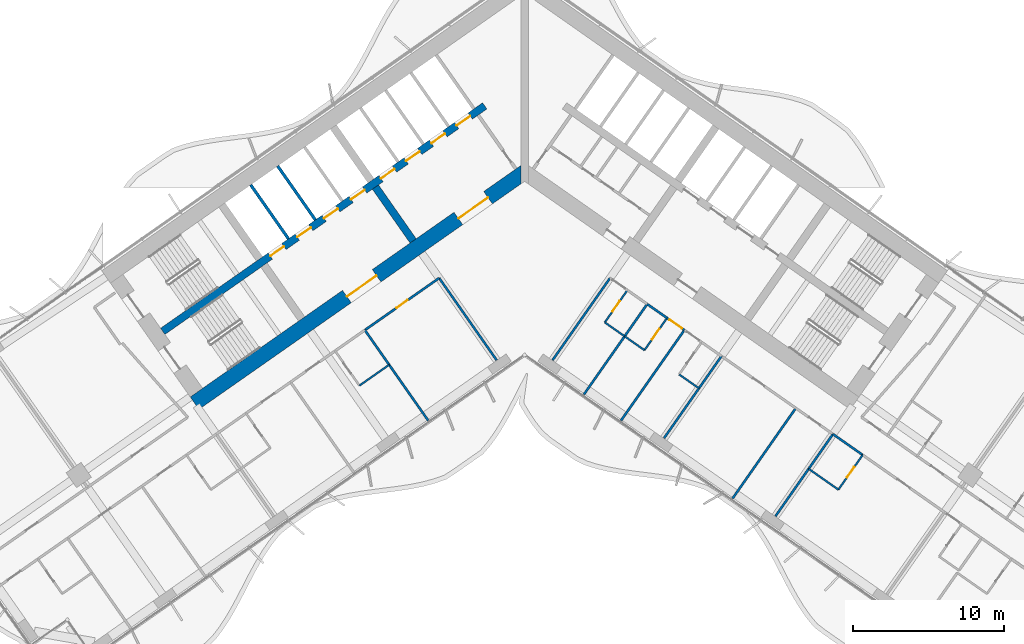
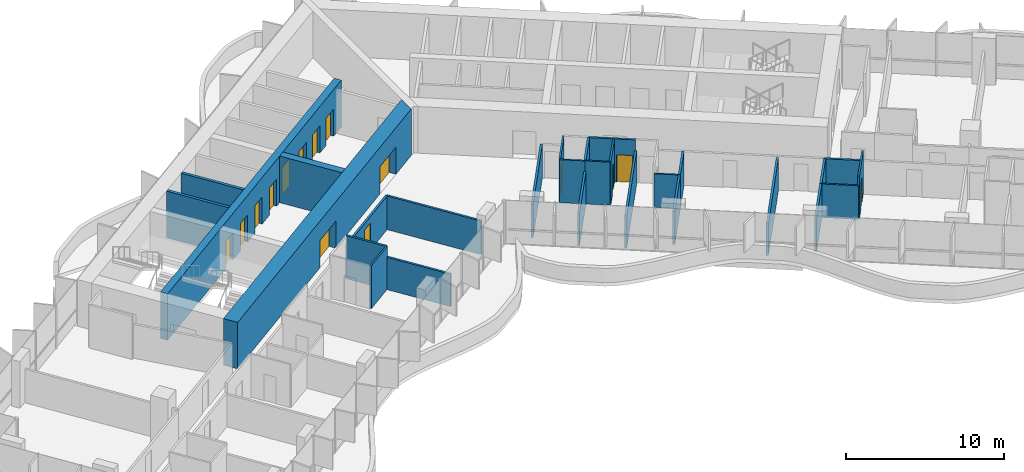
# One storey, part 13 of 23: 29 walls, 15 doors, 15 openings.
"""IFC4 building model written with IfcOpenShell, lengths in metres."""

from ifc_helpers import new_model, si_unit, direction, frame, frame_2d, origin, place, context, subcontext, project, spatial, polyline, rectangle, outline, extrude, material, layer, layer_set, type_object, element, fill, save


model = new_model("IFC4")

# Units and contexts
model_context = context("Model", 3, precision=1e-05, world=origin(), true_north=direction((0.0, 1.0)))
body_context = subcontext(model_context, "Body", "Model", "MODEL_VIEW")
ifc_project = project(units=[si_unit("LENGTHUNIT", "METRE"), si_unit("AREAUNIT", "SQUARE_METRE"), si_unit("VOLUMEUNIT", "CUBIC_METRE"), si_unit("PLANEANGLEUNIT", "RADIAN"), si_unit("MASSUNIT", "GRAM", prefix="KILO")], contexts=[model_context])

# Site, building, storey
site_placement = place(None, origin())
site = spatial("IfcSite", under=ifc_project, at=site_placement, CompositionType="ELEMENT")
building_placement = place(site_placement, origin())
building = spatial("IfcBuilding", under=site, at=building_placement, Name="Tel Ilan Convention Tower", CompositionType="ELEMENT")
storey_placement = place(building_placement, frame((0.0, 0.0, 119.300048828125)))
storey = spatial("IfcBuildingStorey", under=building, at=storey_placement, Name="L26", CompositionType="ELEMENT", Elevation=119.300048828125)

# Wall, openings, doors
ifc_material_1 = material(Name="Concrete C60/75", Category="concrete")
ifc_layer_1 = layer(ifc_material_1, 1.0)
ifc_layer_set_1 = layer_set([ifc_layer_1], Name="Core Shear Wall 1000 mm C60/75")
wall_type_1 = type_object("IfcWallType", Name="Core Shear Wall 1000 mm C60/75", PredefinedType="SHEAR", material=ifc_layer_set_1)
wall_1_placement = place(storey_placement, frame((0.036865234375, -0.584716796875, 0.0), z_axis=(0.0, 0.0, 1.0), x_axis=(-0.819157152511, -0.573569140985, 0.0)))
wall_1 = element("IfcWall", 1, at=wall_1_placement, inside=storey, type_object=wall_type_1, Name="L26 core wall W-front", PredefinedType="SHEAR", context=body_context, shape_type="SweptSolid", body=[
    extrude(outline(polyline([(26.69482421875, 0.500244140625), (0.7001953125, 0.499755859375), (0.0, -0.5), (26.69482421875, -0.499755859375), (26.69482421875, 0.500244140625)])), origin(), (0.0, 0.0, 1.0), 3.599853515625),
])
opening_1_placement = place(wall_1_placement, frame((2.994873046875, 0.0, 0.0)))
opening_1 = element("IfcOpeningElement", 2, at=opening_1_placement, cuts=wall_1, Name="Opening CD2005", PredefinedType="OPENING", context=body_context, shape_type="SweptSolid", body=[
    extrude(rectangle(XDim=2.39990234375, YDim=2.10009765625, at=frame_2d((1.199951171875, 1.050048828125))), frame((0.0, 0.510009765625, 0.0), z_axis=(0.0, -1.0, 0.0), x_axis=(1.0, 0.0, 0.0)), (0.0, 0.0, 1.0), 1.02001953125),
])
opening_2_placement = place(wall_1_placement, frame((11.994873046875, 0.0, 0.0)))
opening_2 = element("IfcOpeningElement", 3, at=opening_2_placement, cuts=wall_1, Name="Opening CD2006", PredefinedType="OPENING", context=body_context, shape_type="SweptSolid", body=[
    extrude(rectangle(XDim=2.39990234375, YDim=2.10009765625, at=frame_2d((1.199951171875, 1.050048828125))), frame((0.0, 0.510009765625, 0.0), z_axis=(0.0, -1.0, 0.0), x_axis=(1.0, 0.0, 0.0)), (0.0, 0.0, 1.0), 1.02001953125),
])
ifc_material_2 = material(Name="Glazed Aluminium Door Leaf", Category="aluminium")
door_type_1 = type_object("IfcDoorType", Name="Lobby Opening Door 2400 x 2100 FD60S", OperationType="NOTDEFINED", PredefinedType="DOOR", material=ifc_material_2)
door_1_placement = place(opening_1_placement, origin())
door_1 = element("IfcDoor", 4, at=door_1_placement, inside=storey, type_object=door_type_1, Name="Lift Lobby LR1-LR4 opening", OperationType="DOUBLE_DOOR_SINGLE_SWING", OverallHeight=2.10009765625, OverallWidth=2.39990234375, PredefinedType="DOOR", context=body_context, shape_type="SweptSolid", body=[
    extrude(rectangle(XDim=2.39990234375, YDim=2.10009765625, at=frame_2d((1.199951171875, 1.050048828125))), frame((0.0, 0.02490234375, 0.0), z_axis=(0.0, -1.0, 0.0), x_axis=(1.0, 0.0, 0.0)), (0.0, 0.0, 1.0), 0.050048828125),
])
fill(opening_1, door_1)
door_2_placement = place(opening_2_placement, origin())
door_2 = element("IfcDoor", 5, at=door_2_placement, inside=storey, type_object=door_type_1, Name="Lift Lobby LR5-LR8 opening", OperationType="DOUBLE_DOOR_SINGLE_SWING", OverallHeight=2.10009765625, OverallWidth=2.39990234375, PredefinedType="DOOR", context=body_context, shape_type="SweptSolid", body=[
    extrude(rectangle(XDim=2.39990234375, YDim=2.10009765625, at=frame_2d((1.199951171875, 1.050048828125))), frame((0.0, 0.02490234375, 0.0), z_axis=(0.0, -1.0, 0.0), x_axis=(1.0, 0.0, 0.0)), (0.0, 0.0, 1.0), 0.050048828125),
])
fill(opening_2, door_2)

# Wall
ifc_material_3 = material(Name="Concrete C60/75", Category="concrete")
ifc_layer_2 = layer(ifc_material_3, 0.5)
ifc_layer_set_2 = layer_set([ifc_layer_2], Name="Core Shear Wall 500 mm C60/75")
wall_type_2 = type_object("IfcWallType", Name="Core Shear Wall 500 mm C60/75", PredefinedType="SHEAR", material=ifc_layer_set_2)
wall_2_placement = place(storey_placement, frame((-7.372314453125, -5.162109375, 0.0), z_axis=(0.0, 0.0, 1.0), x_axis=(-0.573594173421, 0.819139624372, 0.0)))
element("IfcWall", 6, at=wall_2_placement, inside=storey, type_object=wall_type_2, Name="L26 core wall W-cross1-1", PredefinedType="SHEAR", context=body_context, shape_type="SweptSolid", body=[
    extrude(outline(polyline([(4.349853515625, 0.25), (0.0, 0.250244140625), (0.0, -0.25), (4.349853515625, -0.25), (4.349853515625, 0.25)])), origin(), (0.0, 0.0, 1.0), 3.599853515625),
])

# Wall, openings, doors
wall_3_placement = place(storey_placement, frame((-2.638427734375, 3.76806640625, 0.0), z_axis=(0.0, 0.0, 1.0), x_axis=(-0.819148977158, -0.573580816643, 0.0)))
wall_3 = element("IfcWall", 7, at=wall_3_placement, inside=storey, type_object=wall_type_2, Name="L26 core wall W-spine", PredefinedType="SHEAR", context=body_context, shape_type="SweptSolid", body=[
    extrude(outline(polyline([(26.0, 0.249755859375), (0.0, 0.25), (0.0, -0.25), (26.0, -0.250244140625), (26.0, 0.249755859375)])), origin(), (0.0, 0.0, 1.0), 3.599853515625),
])
opening_3_placement = place(wall_3_placement, frame((1.168701171875, 0.0, 0.0)))
opening_3 = element("IfcOpeningElement", 8, at=opening_3_placement, cuts=wall_3, Name="Opening LD2004", PredefinedType="OPENING", context=body_context, shape_type="SweptSolid", body=[
    extrude(rectangle(XDim=1.10009765625, YDim=2.10009765625, at=frame_2d((0.550048828125, 1.050048828125))), frame((0.0, 0.260009765625, 0.0), z_axis=(0.0, -1.0, 0.0), x_axis=(1.0, 0.0, 0.0)), (0.0, 0.0, 1.0), 0.52001953125),
])
opening_4_placement = place(wall_3_placement, frame((3.206298828125, 0.0, 0.0)))
opening_4 = element("IfcOpeningElement", 9, at=opening_4_placement, cuts=wall_3, Name="Opening LD2005", PredefinedType="OPENING", context=body_context, shape_type="SweptSolid", body=[
    extrude(rectangle(XDim=1.10009765625, YDim=2.10009765625, at=frame_2d((0.550048828125, 1.050048828125))), frame((0.0, 0.260009765625, 0.0), z_axis=(0.0, -1.0, 0.0), x_axis=(1.0, 0.0, 0.0)), (0.0, 0.0, 1.0), 0.52001953125),
])
opening_5_placement = place(wall_3_placement, frame((5.24365234375, 0.0, 0.0)))
opening_5 = element("IfcOpeningElement", 10, at=opening_5_placement, cuts=wall_3, Name="Opening LD2006", PredefinedType="OPENING", context=body_context, shape_type="SweptSolid", body=[
    extrude(rectangle(XDim=1.10009765625, YDim=2.10009765625, at=frame_2d((0.550048828125, 1.050048828125))), frame((0.0, 0.260009765625, 0.0), z_axis=(0.0, -1.0, 0.0), x_axis=(1.0, 0.0, 0.0)), (0.0, 0.0, 1.0), 0.52001953125),
])
opening_6_placement = place(wall_3_placement, frame((7.28125, 0.0, 0.0)))
opening_6 = element("IfcOpeningElement", 11, at=opening_6_placement, cuts=wall_3, Name="Opening LD2007", PredefinedType="OPENING", context=body_context, shape_type="SweptSolid", body=[
    extrude(rectangle(XDim=1.10009765625, YDim=2.10009765625, at=frame_2d((0.550048828125, 1.050048828125))), frame((0.0, 0.260009765625, 0.0), z_axis=(0.0, -1.0, 0.0), x_axis=(1.0, 0.0, 0.0)), (0.0, 0.0, 1.0), 0.52001953125),
])
opening_7_placement = place(wall_3_placement, frame((9.6875, 0.0, 0.0)))
opening_7 = element("IfcOpeningElement", 12, at=opening_7_placement, cuts=wall_3, Name="Opening LD2008", PredefinedType="OPENING", context=body_context, shape_type="SweptSolid", body=[
    extrude(rectangle(XDim=1.10009765625, YDim=2.10009765625, at=frame_2d((0.550048828125, 1.050048828125))), frame((0.0, 0.260009765625, 0.0), z_axis=(0.0, -1.0, 0.0), x_axis=(1.0, 0.0, 0.0)), (0.0, 0.0, 1.0), 0.52001953125),
])
opening_8_placement = place(wall_3_placement, frame((11.862548828125, 0.0, 0.0)))
opening_8 = element("IfcOpeningElement", 13, at=opening_8_placement, cuts=wall_3, Name="Opening LD2009", PredefinedType="OPENING", context=body_context, shape_type="SweptSolid", body=[
    extrude(rectangle(XDim=1.10009765625, YDim=2.10009765625, at=frame_2d((0.550048828125, 1.050048828125))), frame((0.0, 0.260009765625, 0.0), z_axis=(0.0, -1.0, 0.0), x_axis=(1.0, 0.0, 0.0)), (0.0, 0.0, 1.0), 0.52001953125),
])
opening_9_placement = place(wall_3_placement, frame((14.03759765625, 0.0, 0.0)))
opening_9 = element("IfcOpeningElement", 14, at=opening_9_placement, cuts=wall_3, Name="Opening LD2010", PredefinedType="OPENING", context=body_context, shape_type="SweptSolid", body=[
    extrude(rectangle(XDim=1.10009765625, YDim=2.10009765625, at=frame_2d((0.550048828125, 1.050048828125))), frame((0.0, 0.260009765625, 0.0), z_axis=(0.0, -1.0, 0.0), x_axis=(1.0, 0.0, 0.0)), (0.0, 0.0, 1.0), 0.52001953125),
])
opening_10_placement = place(wall_3_placement, frame((16.21240234375, 0.0, 0.0)))
opening_10 = element("IfcOpeningElement", 15, at=opening_10_placement, cuts=wall_3, Name="Opening LD2011", PredefinedType="OPENING", context=body_context, shape_type="SweptSolid", body=[
    extrude(rectangle(XDim=1.10009765625, YDim=2.10009765625, at=frame_2d((0.550048828125, 1.050048828125))), frame((0.0, 0.260009765625, 0.0), z_axis=(0.0, -1.0, 0.0), x_axis=(1.0, 0.0, 0.0)), (0.0, 0.0, 1.0), 0.52001953125),
])
ifc_material_4 = material(Name="Stainless Steel Sliding Door Leaf", Category="steel")
door_type_2 = type_object("IfcDoorType", Name="Lift Landing Door 1100 x 2100 FD120", OperationType="NOTDEFINED", PredefinedType="DOOR", material=ifc_material_4)
door_3_placement = place(opening_3_placement, origin())
door_3 = element("IfcDoor", 16, at=door_3_placement, inside=storey, type_object=door_type_2, Name="Lift LR1 landing door", OperationType="SLIDING_TO_LEFT", OverallHeight=2.10009765625, OverallWidth=1.10009765625, PredefinedType="DOOR", context=body_context, shape_type="SweptSolid", body=[
    extrude(rectangle(XDim=1.10009765625, YDim=2.10009765625, at=frame_2d((0.550048828125, 1.050048828125))), frame((0.0, 0.02490234375, 0.0), z_axis=(0.0, -1.0, 0.0), x_axis=(1.0, 0.0, 0.0)), (0.0, 0.0, 1.0), 0.050048828125),
])
fill(opening_3, door_3)
door_4_placement = place(opening_4_placement, origin())
door_4 = element("IfcDoor", 17, at=door_4_placement, inside=storey, type_object=door_type_2, Name="Lift LR2 landing door", OperationType="SLIDING_TO_RIGHT", OverallHeight=2.10009765625, OverallWidth=1.10009765625, PredefinedType="DOOR", context=body_context, shape_type="SweptSolid", body=[
    extrude(rectangle(XDim=1.10009765625, YDim=2.10009765625, at=frame_2d((0.550048828125, 1.050048828125))), frame((0.0, 0.02490234375, 0.0), z_axis=(0.0, -1.0, 0.0), x_axis=(1.0, 0.0, 0.0)), (0.0, 0.0, 1.0), 0.050048828125),
])
fill(opening_4, door_4)
door_5_placement = place(opening_5_placement, origin())
door_5 = element("IfcDoor", 18, at=door_5_placement, inside=storey, type_object=door_type_2, Name="Lift LR3 landing door", OperationType="SLIDING_TO_LEFT", OverallHeight=2.10009765625, OverallWidth=1.10009765625, PredefinedType="DOOR", context=body_context, shape_type="SweptSolid", body=[
    extrude(rectangle(XDim=1.10009765625, YDim=2.10009765625, at=frame_2d((0.550048828125, 1.050048828125))), frame((0.0, 0.02490234375, 0.0), z_axis=(0.0, -1.0, 0.0), x_axis=(1.0, 0.0, 0.0)), (0.0, 0.0, 1.0), 0.050048828125),
])
fill(opening_5, door_5)
door_6_placement = place(opening_6_placement, origin())
door_6 = element("IfcDoor", 19, at=door_6_placement, inside=storey, type_object=door_type_2, Name="Lift LR4 landing door", OperationType="SLIDING_TO_RIGHT", OverallHeight=2.10009765625, OverallWidth=1.10009765625, PredefinedType="DOOR", context=body_context, shape_type="SweptSolid", body=[
    extrude(rectangle(XDim=1.10009765625, YDim=2.10009765625, at=frame_2d((0.550048828125, 1.050048828125))), frame((0.0, 0.02490234375, 0.0), z_axis=(0.0, -1.0, 0.0), x_axis=(1.0, 0.0, 0.0)), (0.0, 0.0, 1.0), 0.050048828125),
])
fill(opening_6, door_6)
door_7_placement = place(opening_7_placement, origin())
door_7 = element("IfcDoor", 20, at=door_7_placement, inside=storey, type_object=door_type_2, Name="Lift LR5 landing door", OperationType="SLIDING_TO_LEFT", OverallHeight=2.10009765625, OverallWidth=1.10009765625, PredefinedType="DOOR", context=body_context, shape_type="SweptSolid", body=[
    extrude(rectangle(XDim=1.10009765625, YDim=2.10009765625, at=frame_2d((0.550048828125, 1.050048828125))), frame((0.0, 0.02490234375, 0.0), z_axis=(0.0, -1.0, 0.0), x_axis=(1.0, 0.0, 0.0)), (0.0, 0.0, 1.0), 0.050048828125),
])
fill(opening_7, door_7)
door_8_placement = place(opening_8_placement, origin())
door_8 = element("IfcDoor", 21, at=door_8_placement, inside=storey, type_object=door_type_2, Name="Lift LR6 landing door", OperationType="SLIDING_TO_RIGHT", OverallHeight=2.10009765625, OverallWidth=1.10009765625, PredefinedType="DOOR", context=body_context, shape_type="SweptSolid", body=[
    extrude(rectangle(XDim=1.10009765625, YDim=2.10009765625, at=frame_2d((0.550048828125, 1.050048828125))), frame((0.0, 0.02490234375, 0.0), z_axis=(0.0, -1.0, 0.0), x_axis=(1.0, 0.0, 0.0)), (0.0, 0.0, 1.0), 0.050048828125),
])
fill(opening_8, door_8)
door_9_placement = place(opening_9_placement, origin())
door_9 = element("IfcDoor", 22, at=door_9_placement, inside=storey, type_object=door_type_2, Name="Lift LR7 landing door", OperationType="SLIDING_TO_LEFT", OverallHeight=2.10009765625, OverallWidth=1.10009765625, PredefinedType="DOOR", context=body_context, shape_type="SweptSolid", body=[
    extrude(rectangle(XDim=1.10009765625, YDim=2.10009765625, at=frame_2d((0.550048828125, 1.050048828125))), frame((0.0, 0.02490234375, 0.0), z_axis=(0.0, -1.0, 0.0), x_axis=(1.0, 0.0, 0.0)), (0.0, 0.0, 1.0), 0.050048828125),
])
fill(opening_9, door_9)
door_10_placement = place(opening_10_placement, origin())
door_10 = element("IfcDoor", 23, at=door_10_placement, inside=storey, type_object=door_type_2, Name="Lift LR8 landing door", OperationType="SLIDING_TO_RIGHT", OverallHeight=2.10009765625, OverallWidth=1.10009765625, PredefinedType="DOOR", context=body_context, shape_type="SweptSolid", body=[
    extrude(rectangle(XDim=1.10009765625, YDim=2.10009765625, at=frame_2d((0.550048828125, 1.050048828125))), frame((0.0, 0.02490234375, 0.0), z_axis=(0.0, -1.0, 0.0), x_axis=(1.0, 0.0, 0.0)), (0.0, 0.0, 1.0), 0.050048828125),
])
fill(opening_10, door_10)

# Wall, opening, door
ifc_material_5 = material(Name="Plasterboard on Steel Studs", Category="steel")
ifc_layer_3 = layer(ifc_material_5, 0.14990234375)
ifc_layer_set_3 = layer_set([ifc_layer_3], Name="Fire-rated Partition 150 EI 60")
wall_type_3 = type_object("IfcWallType", Name="Fire-rated Partition 150 EI 60", PredefinedType="PARTITIONING", material=ifc_layer_set_3)
wall_4_placement = place(storey_placement, frame((10.568115234375, -11.062255859375, 0.0), z_axis=(0.0, 0.0, 1.0), x_axis=(-0.81914197737, 0.573590813132, 0.0)))
wall_4 = element("IfcWall", 24, at=wall_4_placement, inside=storey, type_object=wall_type_3, Name="Partition 009", PredefinedType="PARTITIONING", context=body_context, shape_type="SweptSolid", body=[
    extrude(rectangle(XDim=1.40283203125, YDim=0.14990234375, at=frame_2d((0.701416015625, 0.0))), origin(), (0.0, 0.0, 1.0), 3.320068359375),
])
opening_11_placement = place(wall_4_placement, frame((0.201904296875, 0.0, 0.0)))
opening_11 = element("IfcOpeningElement", 25, at=opening_11_placement, cuts=wall_4, Name="Opening L24-016", PredefinedType="OPENING", context=body_context, shape_type="SweptSolid", body=[
    extrude(rectangle(XDim=1.0, YDim=2.10009765625, at=frame_2d((0.5, 1.050048828125))), frame((0.0, 0.0849609375, 0.0), z_axis=(0.0, -1.0, 0.0), x_axis=(1.0, 0.0, 0.0)), (0.0, 0.0, 1.0), 0.169921875),
])
ifc_material_6 = material(Name="Timber Door Leaf in Steel Frame", Category="steel")
door_type_3 = type_object("IfcDoorType", Name="Hotel Room Entrance Fire Door 1000x2100", OperationType="NOTDEFINED", PredefinedType="DOOR", material=ifc_material_6)
door_11_placement = place(opening_11_placement, origin())
door_11 = element("IfcDoor", 26, at=door_11_placement, inside=storey, type_object=door_type_3, Name="Door L24-016", OperationType="SINGLE_SWING_LEFT", OverallHeight=2.10009765625, OverallWidth=1.0, PredefinedType="DOOR", context=body_context, shape_type="SweptSolid", body=[
    extrude(rectangle(XDim=1.0, YDim=2.10009765625, at=frame_2d((0.5, 1.050048828125))), frame((0.0, 0.02490234375, 0.0), z_axis=(0.0, -1.0, 0.0), x_axis=(1.0, 0.0, 0.0)), (0.0, 0.0, 1.0), 0.050048828125),
])
fill(opening_11, door_11)

# Walls
wall_5_placement = place(storey_placement, frame((9.42138671875, -10.25927734375, 0.0), z_axis=(0.0, 0.0, 1.0), x_axis=(-0.819117502046, 0.573625764625, 0.0)))
element("IfcWall", 27, at=wall_5_placement, inside=storey, type_object=wall_type_3, Name="Partition 010", PredefinedType="PARTITIONING", context=body_context, shape_type="SweptSolid", body=[
    extrude(rectangle(XDim=1.60400390625, YDim=0.14990234375, at=frame_2d((0.802001953125, 0.0))), origin(), (0.0, 0.0, 1.0), 3.320068359375),
])
wall_6_placement = place(storey_placement, frame((22.364013671875, -19.32177734375, 0.0), z_axis=(0.0, 0.0, 1.0), x_axis=(-0.819146032251, 0.573585022335, 0.0)))
element("IfcWall", 28, at=wall_6_placement, inside=storey, type_object=wall_type_3, Name="Partition 016", PredefinedType="PARTITIONING", context=body_context, shape_type="SweptSolid", body=[
    extrude(rectangle(XDim=2.404052734375, YDim=0.14990234375, at=frame_2d((1.2021484375, 0.0))), origin(), (0.0, 0.0, 1.0), 2.599853515625),
])

# Wall, opening, door
wall_7_placement = place(storey_placement, frame((-5.651611328125, -7.61962890625, 0.0), z_axis=(0.0, 0.0, 1.0), x_axis=(-0.819147828287, -0.573582457378, 0.0)))
wall_7 = element("IfcWall", 29, at=wall_7_placement, inside=storey, type_object=wall_type_3, Name="Partition 023", PredefinedType="PARTITIONING", context=body_context, shape_type="SweptSolid", body=[
    extrude(rectangle(XDim=6.001953125, YDim=0.14990234375, at=frame_2d((3.0009765625, 0.0))), origin(), (0.0, 0.0, 1.0), 2.599853515625),
])
opening_12_placement = place(wall_7_placement, frame((2.551025390625, 0.0, 0.0)))
opening_12 = element("IfcOpeningElement", 30, at=opening_12_placement, cuts=wall_7, Name="Opening L24-001", PredefinedType="OPENING", context=body_context, shape_type="SweptSolid", body=[
    extrude(rectangle(XDim=0.89990234375, YDim=2.10009765625, at=frame_2d((0.449951171875, 1.050048828125))), frame((0.0, 0.0849609375, 0.0), z_axis=(0.0, -1.0, 0.0), x_axis=(1.0, 0.0, 0.0)), (0.0, 0.0, 1.0), 0.169921875),
])
ifc_material_7 = material(Name="Timber Door Leaf in Steel Frame", Category="steel")
door_type_4 = type_object("IfcDoorType", Name="Room Fire Door 900x2100", OperationType="NOTDEFINED", PredefinedType="DOOR", material=ifc_material_7)
door_12_placement = place(opening_12_placement, origin())
door_12 = element("IfcDoor", 31, at=door_12_placement, inside=storey, type_object=door_type_4, Name="Door L24-001", OperationType="SINGLE_SWING_LEFT", OverallHeight=2.10009765625, OverallWidth=0.89990234375, PredefinedType="DOOR", context=body_context, shape_type="SweptSolid", body=[
    extrude(rectangle(XDim=0.89990234375, YDim=2.10009765625, at=frame_2d((0.449951171875, 1.050048828125))), frame((0.0, 0.02490234375, 0.0), z_axis=(0.0, -1.0, 0.0), x_axis=(1.0, 0.0, 0.0)), (0.0, 0.0, 1.0), 0.050048828125),
])
fill(opening_12, door_12)

# Walls
wall_8_placement = place(storey_placement, frame((6.6171875, -11.470947265625, 0.0), z_axis=(0.0, 0.0, 1.0), x_axis=(-0.573535567792, -0.819180659243, 0.0)))
element("IfcWall", 32, at=wall_8_placement, inside=storey, type_object=wall_type_3, Name="Partition 048", PredefinedType="PARTITIONING", context=body_context, shape_type="SweptSolid", body=[
    extrude(rectangle(XDim=4.698974609375, YDim=0.14990234375, at=frame_2d((2.349609375, 0.0))), origin(), (0.0, 0.0, 1.0), 2.5),
])
wall_9_placement = place(storey_placement, frame((1.848876953125, -13.050537109375, 0.0), z_axis=(0.0, 0.0, 1.0), x_axis=(0.57357355307, 0.819154063177, 0.0)))
element("IfcWall", 33, at=wall_9_placement, inside=storey, type_object=wall_type_3, Name="Partition 049", PredefinedType="PARTITIONING", context=body_context, shape_type="SweptSolid", body=[
    extrude(rectangle(XDim=6.6298828125, YDim=0.14990234375, at=frame_2d((3.31494140625, 0.0))), origin(), (0.0, 0.0, 1.0), 2.599853515625),
])
wall_10_placement = place(storey_placement, frame((8.109130859375, -9.34033203125, 0.0), z_axis=(0.0, 0.0, 1.0), x_axis=(-0.573537965655, -0.819178980414, 0.0)))
element("IfcWall", 34, at=wall_10_placement, inside=storey, type_object=wall_type_3, Name="Partition 050", PredefinedType="PARTITIONING", context=body_context, shape_type="SweptSolid", body=[
    extrude(rectangle(XDim=2.60009765625, YDim=0.14990234375, at=frame_2d((1.300048828125, 0.0))), origin(), (0.0, 0.0, 1.0), 3.320068359375),
])
wall_11_placement = place(storey_placement, frame((10.566650390625, -11.06103515625, 0.0), z_axis=(0.0, 0.0, 1.0), x_axis=(-0.573579051994, -0.81915021279, 0.0)))
element("IfcWall", 35, at=wall_11_placement, inside=storey, type_object=wall_type_3, Name="Partition 053", PredefinedType="PARTITIONING", context=body_context, shape_type="SweptSolid", body=[
    extrude(rectangle(XDim=7.30029296875, YDim=0.14990234375, at=frame_2d((3.650146484375, 0.0))), origin(), (0.0, 0.0, 1.0), 2.5),
])
wall_12_placement = place(storey_placement, frame((11.531982421875, -14.912353515625, 0.0), z_axis=(0.0, 0.0, 1.0), x_axis=(-0.573531477532, -0.819183522954, 0.0)))
element("IfcWall", 36, at=wall_12_placement, inside=storey, type_object=wall_type_3, Name="Partition 056", PredefinedType="PARTITIONING", context=body_context, shape_type="SweptSolid", body=[
    extrude(rectangle(XDim=4.029052734375, YDim=0.14990234375, at=frame_2d((2.0146484375, 0.0))), origin(), (0.0, 0.0, 1.0), 2.599853515625),
])
wall_13_placement = place(storey_placement, frame((13.02392578125, -12.78173828125, 0.0), z_axis=(0.0, 0.0, 1.0), x_axis=(-0.573537965655, -0.819178980414, 0.0)))
element("IfcWall", 37, at=wall_13_placement, inside=storey, type_object=wall_type_3, Name="Partition 057", PredefinedType="PARTITIONING", context=body_context, shape_type="SweptSolid", body=[
    extrude(rectangle(XDim=2.60009765625, YDim=0.14990234375, at=frame_2d((1.300048828125, 0.0))), origin(), (0.0, 0.0, 1.0), 2.599853515625),
])
wall_14_placement = place(storey_placement, frame((17.93896484375, -16.223388671875, 0.0), z_axis=(0.0, 0.0, 1.0), x_axis=(-0.573594765376, -0.819139209862, 0.0)))
element("IfcWall", 38, at=wall_14_placement, inside=storey, type_object=wall_type_3, Name="Partition 058", PredefinedType="PARTITIONING", context=body_context, shape_type="SweptSolid", body=[
    extrude(rectangle(XDim=7.300048828125, YDim=0.14990234375, at=frame_2d((3.64990234375, 0.0))), origin(), (0.0, 0.0, 1.0), 2.5),
])
wall_15_placement = place(storey_placement, frame((18.791015625, -20.23681640625, 0.0), z_axis=(0.0, 0.0, 1.0), x_axis=(-0.57359919792, -0.819136105995, 0.0)))
element("IfcWall", 39, at=wall_15_placement, inside=storey, type_object=wall_type_3, Name="Partition 059", PredefinedType="PARTITIONING", context=body_context, shape_type="SweptSolid", body=[
    extrude(rectangle(XDim=3.8310546875, YDim=0.14990234375, at=frame_2d((1.91552734375, 0.0))), origin(), (0.0, 0.0, 1.0), 2.599853515625),
])
wall_16_placement = place(storey_placement, frame((20.396484375, -17.944091796875, 0.0), z_axis=(0.0, 0.0, 1.0), x_axis=(-0.573596837309, -0.819137759006, 0.0)))
element("IfcWall", 40, at=wall_16_placement, inside=storey, type_object=wall_type_3, Name="Partition 060", PredefinedType="PARTITIONING", context=body_context, shape_type="SweptSolid", body=[
    extrude(rectangle(XDim=2.802001953125, YDim=0.14990234375, at=frame_2d((1.40087890625, 0.0))), origin(), (0.0, 0.0, 1.0), 2.599853515625),
])
wall_17_placement = place(storey_placement, frame((-1.848876953125, -13.050537109375, 0.0), z_axis=(0.0, 0.0, 1.0), x_axis=(-0.573575988258, 0.819152358047, 0.0)))
element("IfcWall", 41, at=wall_17_placement, inside=storey, type_object=wall_type_3, Name="Partition 070", PredefinedType="PARTITIONING", context=body_context, shape_type="SweptSolid", body=[
    extrude(rectangle(XDim=6.632080078125, YDim=0.14990234375, at=frame_2d((3.31591796875, 0.0))), origin(), (0.0, 0.0, 1.0), 2.599853515625),
])
wall_18_placement = place(storey_placement, frame((-6.37939453125, -17.041015625, 0.0), z_axis=(0.0, 0.0, 1.0), x_axis=(-0.573593387921, 0.81914017441, 0.0)))
element("IfcWall", 42, at=wall_18_placement, inside=storey, type_object=wall_type_3, Name="Partition 076", PredefinedType="PARTITIONING", context=body_context, shape_type="SweptSolid", body=[
    extrude(rectangle(XDim=4.5009765625, YDim=0.14990234375, at=frame_2d((2.25048828125, 0.0))), origin(), (0.0, 0.0, 1.0), 2.5),
])
wall_19_placement = place(storey_placement, frame((-8.95947265625, -13.3564453125, 0.0), z_axis=(0.0, 0.0, 1.0), x_axis=(-0.573555899632, 0.819166423871, 0.0)))
element("IfcWall", 43, at=wall_19_placement, inside=storey, type_object=wall_type_3, Name="Partition 077", PredefinedType="PARTITIONING", context=body_context, shape_type="SweptSolid", body=[
    extrude(rectangle(XDim=2.80224609375, YDim=0.14990234375, at=frame_2d((1.401123046875, 0.0))), origin(), (0.0, 0.0, 1.0), 3.320068359375),
])
ifc_material_8 = material(Name="Concrete C30/37", Category="concrete")
ifc_layer_4 = layer(ifc_material_8, 0.199951171875)
ifc_layer_set_4 = layer_set([ifc_layer_4], Name="Lift Shaft Wall 200 mm C30/37")
wall_type_4 = type_object("IfcWallType", Name="Lift Shaft Wall 200 mm C30/37", PredefinedType="SOLIDWALL", material=ifc_layer_set_4)
wall_20_placement = place(storey_placement, frame((-13.84033203125, -3.7705078125, 0.0), z_axis=(0.0, 0.0, 1.0), x_axis=(-0.57356780395, 0.819158088694, 0.0)))
element("IfcWall", 44, at=wall_20_placement, inside=storey, type_object=wall_type_4, Name="L26 core wall bank-W2-p1", PredefinedType="SOLIDWALL", context=body_context, shape_type="SweptSolid", body=[
    extrude(rectangle(XDim=4.35009765625, YDim=0.199951171875, at=frame_2d((2.175048828125, 0.0))), origin(), (0.0, 0.0, 1.0), 3.599853515625),
])
wall_21_placement = place(storey_placement, frame((-15.6220703125, -5.017822265625, 0.0), z_axis=(0.0, 0.0, 1.0), x_axis=(-0.573594173421, 0.819139624372, 0.0)))
element("IfcWall", 45, at=wall_21_placement, inside=storey, type_object=wall_type_4, Name="L26 core wall bank-W2-p2", PredefinedType="SOLIDWALL", context=body_context, shape_type="SweptSolid", body=[
    extrude(rectangle(XDim=4.349853515625, YDim=0.199951171875, at=frame_2d((2.1748046875, 0.0))), origin(), (0.0, 0.0, 1.0), 3.599853515625),
])

# Wall, opening, door
ifc_material_9 = material(Name="Plasterboard on Steel Studs", Category="steel")
ifc_layer_5 = layer(ifc_material_9, 0.1201171875)
ifc_layer_set_5 = layer_set([ifc_layer_5], Name="Moisture-resistant Partition 120")
wall_type_5 = type_object("IfcWallType", Name="Moisture-resistant Partition 120", PredefinedType="PARTITIONING", material=ifc_layer_set_5)
wall_22_placement = place(storey_placement, frame((6.797607421875, -8.422119140625, 0.0), z_axis=(0.0, 0.0, 1.0), x_axis=(-0.573537965655, -0.819178980414, 0.0)))
wall_22 = element("IfcWall", 46, at=wall_22_placement, inside=storey, type_object=wall_type_5, Name="Partition 046", PredefinedType="PARTITIONING", context=body_context, shape_type="SweptSolid", body=[
    extrude(rectangle(XDim=2.60009765625, YDim=0.1201171875, at=frame_2d((1.300048828125, 0.0))), origin(), (0.0, 0.0, 1.0), 3.320068359375),
])
opening_13_placement = place(wall_22_placement, frame((0.875, 0.0, 0.0)))
opening_13 = element("IfcOpeningElement", 47, at=opening_13_placement, cuts=wall_22, Name="Opening L24-013", PredefinedType="OPENING", context=body_context, shape_type="SweptSolid", body=[
    extrude(rectangle(XDim=0.85009765625, YDim=2.050048828125, at=frame_2d((0.425048828125, 1.02490234375))), frame((0.0, 0.070068359375, 0.0), z_axis=(0.0, -1.0, 0.0), x_axis=(1.0, 0.0, 0.0)), (0.0, 0.0, 1.0), 0.14013671875),
])
ifc_material_10 = material(Name="Timber Door Leaf in Steel Frame", Category="steel")
door_type_5 = type_object("IfcDoorType", Name="Bathroom Timber Door 850x2050", OperationType="NOTDEFINED", PredefinedType="DOOR", material=ifc_material_10)
door_13_placement = place(opening_13_placement, origin())
door_13 = element("IfcDoor", 48, at=door_13_placement, inside=storey, type_object=door_type_5, Name="Door L24-013", OperationType="SINGLE_SWING_RIGHT", OverallHeight=2.050048828125, OverallWidth=0.85009765625, PredefinedType="DOOR", context=body_context, shape_type="SweptSolid", body=[
    extrude(rectangle(XDim=0.85009765625, YDim=2.050048828125, at=frame_2d((0.425048828125, 1.02490234375))), frame((0.0, 0.02490234375, 0.0), z_axis=(0.0, -1.0, 0.0), x_axis=(1.0, 0.0, 0.0)), (0.0, 0.0, 1.0), 0.050048828125),
])
fill(opening_13, door_13)

# Walls
wall_23_placement = place(storey_placement, frame((5.306640625, -10.55322265625, 0.0), z_axis=(0.0, 0.0, 1.0), x_axis=(0.819131543282, -0.57360571371, 0.0)))
element("IfcWall", 49, at=wall_23_placement, inside=storey, type_object=wall_type_5, Name="Partition 047", PredefinedType="PARTITIONING", context=body_context, shape_type="SweptSolid", body=[
    extrude(rectangle(XDim=1.599853515625, YDim=0.1201171875, at=frame_2d((0.7998046875, 0.0))), origin(), (0.0, 0.0, 1.0), 3.320068359375),
])
wall_24_placement = place(storey_placement, frame((6.6171875, -11.470947265625, 0.0), z_axis=(0.0, 0.0, 1.0), x_axis=(0.81918174131, -0.573534022273, 0.0)))
element("IfcWall", 50, at=wall_24_placement, inside=storey, type_object=wall_type_5, Name="Partition 051", PredefinedType="PARTITIONING", context=body_context, shape_type="SweptSolid", body=[
    extrude(rectangle(XDim=1.60009765625, YDim=0.1201171875, at=frame_2d((0.800048828125, 0.0))), origin(), (0.0, 0.0, 1.0), 3.320068359375),
])

# Wall, opening, door
wall_25_placement = place(storey_placement, frame((7.92919921875, -12.388427734375, 0.0), z_axis=(0.0, 0.0, 1.0), x_axis=(0.573645091666, 0.819103967032, 0.0)))
wall_25 = element("IfcWall", 51, at=wall_25_placement, inside=storey, type_object=wall_type_5, Name="Partition 052", PredefinedType="PARTITIONING", context=body_context, shape_type="SweptSolid", body=[
    extrude(rectangle(XDim=2.599853515625, YDim=0.1201171875, at=frame_2d((1.2998046875, 0.0))), origin(), (0.0, 0.0, 1.0), 3.320068359375),
])
opening_14_placement = place(wall_25_placement, frame((0.875, 0.0, 0.0)))
opening_14 = element("IfcOpeningElement", 52, at=opening_14_placement, cuts=wall_25, Name="Opening L24-015", PredefinedType="OPENING", context=body_context, shape_type="SweptSolid", body=[
    extrude(rectangle(XDim=0.85009765625, YDim=2.050048828125, at=frame_2d((0.425048828125, 1.02490234375))), frame((0.0, 0.070068359375, 0.0), z_axis=(0.0, -1.0, 0.0), x_axis=(1.0, 0.0, 0.0)), (0.0, 0.0, 1.0), 0.14013671875),
])
door_14_placement = place(opening_14_placement, origin())
door_14 = element("IfcDoor", 53, at=door_14_placement, inside=storey, type_object=door_type_5, Name="Door L24-015", OperationType="SINGLE_SWING_RIGHT", OverallHeight=2.050048828125, OverallWidth=0.85009765625, PredefinedType="DOOR", context=body_context, shape_type="SweptSolid", body=[
    extrude(rectangle(XDim=0.85009765625, YDim=2.050048828125, at=frame_2d((0.425048828125, 1.02490234375))), frame((0.0, 0.02490234375, 0.0), z_axis=(0.0, -1.0, 0.0), x_axis=(1.0, 0.0, 0.0)), (0.0, 0.0, 1.0), 0.050048828125),
])
fill(opening_14, door_14)

# Walls
wall_26_placement = place(storey_placement, frame((10.221435546875, -13.99462890625, 0.0), z_axis=(0.0, 0.0, 1.0), x_axis=(0.819131543282, -0.57360571371, 0.0)))
element("IfcWall", 54, at=wall_26_placement, inside=storey, type_object=wall_type_5, Name="Partition 055", PredefinedType="PARTITIONING", context=body_context, shape_type="SweptSolid", body=[
    extrude(rectangle(XDim=1.599853515625, YDim=0.1201171875, at=frame_2d((0.7998046875, 0.0))), origin(), (0.0, 0.0, 1.0), 2.599853515625),
])
wall_27_placement = place(storey_placement, frame((18.789794921875, -20.238525390625, 0.0), z_axis=(0.0, 0.0, 1.0), x_axis=(0.819188907105, -0.573523787192, 0.0)))
element("IfcWall", 55, at=wall_27_placement, inside=storey, type_object=wall_type_5, Name="Partition 061", PredefinedType="PARTITIONING", context=body_context, shape_type="SweptSolid", body=[
    extrude(rectangle(XDim=2.39990234375, YDim=0.1201171875, at=frame_2d((1.199951171875, 0.0))), origin(), (0.0, 0.0, 1.0), 2.599853515625),
])

# Wall, opening, door
wall_28_placement = place(storey_placement, frame((20.757080078125, -21.61474609375, 0.0), z_axis=(0.0, 0.0, 1.0), x_axis=(0.57364959175, 0.819100815459, 0.0)))
wall_28 = element("IfcWall", 56, at=wall_28_placement, inside=storey, type_object=wall_type_5, Name="Partition 062", PredefinedType="PARTITIONING", context=body_context, shape_type="SweptSolid", body=[
    extrude(rectangle(XDim=2.800048828125, YDim=0.1201171875, at=frame_2d((1.39990234375, 0.0))), origin(), (0.0, 0.0, 1.0), 3.320068359375),
])
opening_15_placement = place(wall_28_placement, frame((0.97509765625, 0.0, 0.0)))
opening_15 = element("IfcOpeningElement", 57, at=opening_15_placement, cuts=wall_28, Name="Opening L24-021", PredefinedType="OPENING", context=body_context, shape_type="SweptSolid", body=[
    extrude(rectangle(XDim=0.85009765625, YDim=2.050048828125, at=frame_2d((0.425048828125, 1.02490234375))), frame((0.0, 0.070068359375, 0.0), z_axis=(0.0, -1.0, 0.0), x_axis=(1.0, 0.0, 0.0)), (0.0, 0.0, 1.0), 0.14013671875),
])
door_15_placement = place(opening_15_placement, origin())
door_15 = element("IfcDoor", 58, at=door_15_placement, inside=storey, type_object=door_type_5, Name="Door L24-021", OperationType="SINGLE_SWING_LEFT", OverallHeight=2.050048828125, OverallWidth=0.85009765625, PredefinedType="DOOR", context=body_context, shape_type="SweptSolid", body=[
    extrude(rectangle(XDim=0.85009765625, YDim=2.050048828125, at=frame_2d((0.425048828125, 1.02490234375))), frame((0.0, 0.02490234375, 0.0), z_axis=(0.0, -1.0, 0.0), x_axis=(1.0, 0.0, 0.0)), (0.0, 0.0, 1.0), 0.050048828125),
])
fill(opening_15, door_15)

# Wall
wall_29_placement = place(storey_placement, frame((-10.92578125, -14.732177734375, 0.0), z_axis=(0.0, 0.0, 1.0), x_axis=(0.819107643868, 0.573639841501, 0.0)))
element("IfcWall", 59, at=wall_29_placement, inside=storey, type_object=wall_type_5, Name="Partition 079", PredefinedType="PARTITIONING", context=body_context, shape_type="SweptSolid", body=[
    extrude(rectangle(XDim=2.39990234375, YDim=0.1201171875, at=frame_2d((1.199951171875, 0.0))), origin(), (0.0, 0.0, 1.0), 3.320068359375),
])

save(model, "model.ifc")
